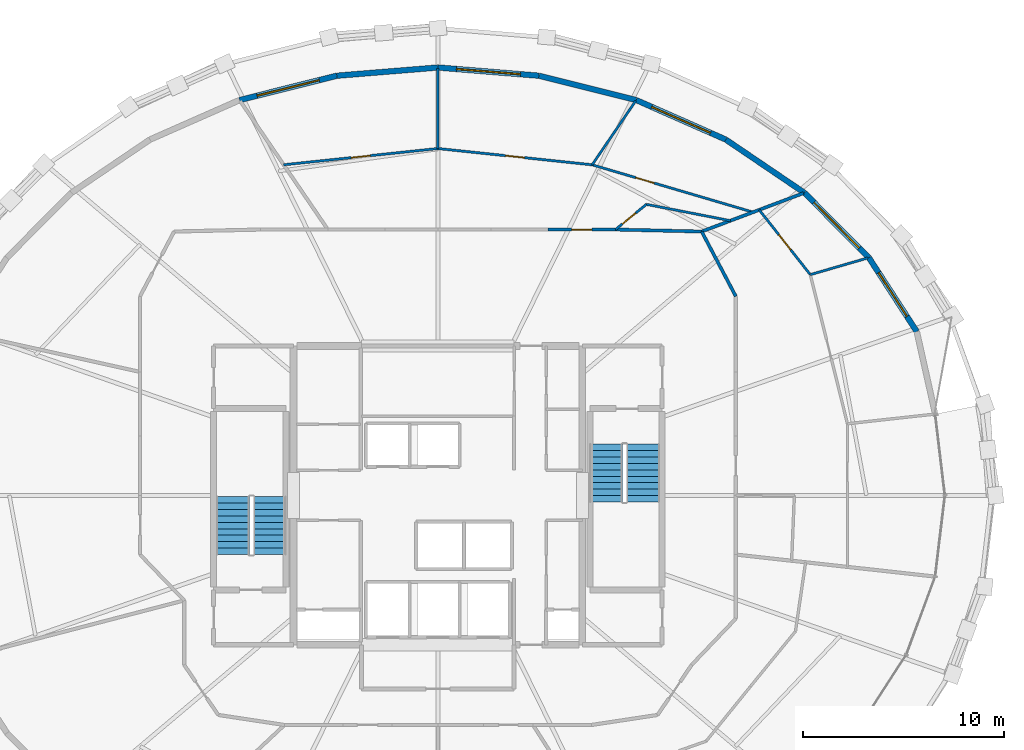
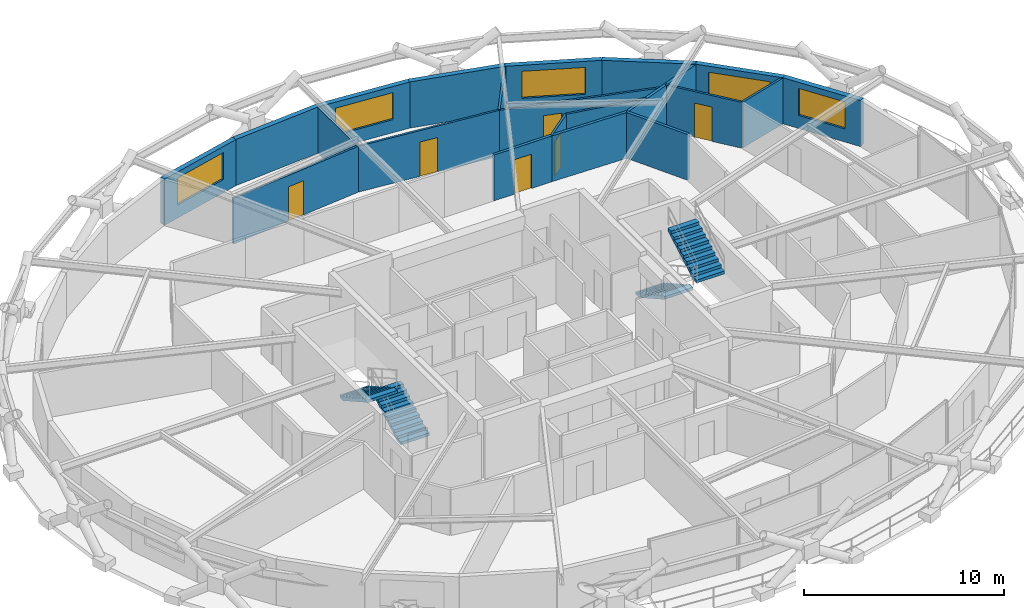
# One storey, part 16 of 17: 21 walls, 6 doors, 5 windows, 4 stair flights, 11 openings, 2 elements without a shape of their own.
"""IFC4 building model written with IfcOpenShell, lengths in metres."""

from ifc_helpers import new_model, si_unit, direction, frame, frame_2d, origin, place, context, subcontext, project, spatial, polyline, rectangle, outline, extrude, material, layer, layer_set, type_object, element, fill, aggregate, save


model = new_model("IFC4")

# Units and contexts
model_context = context("Model", 3, precision=1e-05, world=origin(), true_north=direction((0.0, 1.0)))
body_context = subcontext(model_context, "Body", "Model", "MODEL_VIEW")
ifc_project = project(units=[si_unit("LENGTHUNIT", "METRE"), si_unit("AREAUNIT", "SQUARE_METRE"), si_unit("VOLUMEUNIT", "CUBIC_METRE"), si_unit("PLANEANGLEUNIT", "RADIAN"), si_unit("MASSUNIT", "GRAM", prefix="KILO")], contexts=[model_context])

# Site, building, storey
site_placement = place(None, origin())
site = spatial("IfcSite", under=ifc_project, at=site_placement, CompositionType="ELEMENT")
building_placement = place(site_placement, origin())
building = spatial("IfcBuilding", under=site, at=building_placement, Name="Veldorina Hangang Commons", CompositionType="ELEMENT")
storey_placement = place(building_placement, frame((0.0, 0.0, 178.39990234375)))
storey = spatial("IfcBuildingStorey", under=building, at=storey_placement, Name="L46", CompositionType="ELEMENT", Elevation=178.39990234375)

# Wall, opening, window
ifc_material_1 = material(Name="Stone Roman Travertine", Category="masonry")
ifc_layer_1 = layer(ifc_material_1, 0.280029296875)
ifc_layer_set_1 = layer_set([ifc_layer_1], Name="Stone Roman Travertine")
wall_type_1 = type_object("IfcWallType", Name="EW-TRAV-280", PredefinedType="STANDARD", material=ifc_layer_set_1)
wall_1_placement = place(storey_placement, frame((55.87255859375, 32.161865234375, 0.0), z_axis=(0.0, 0.0, 1.0), x_axis=(-0.543543905956, 0.839380737388, 0.0)))
wall_1 = element("IfcWall", 1, at=wall_1_placement, inside=storey, type_object=wall_type_1, Name="L46 travertine facade wall 02", PredefinedType="STANDARD", context=body_context, shape_type="SweptSolid", body=[
    extrude(rectangle(XDim=4.392822265625, YDim=0.280029296875, at=frame_2d((2.1962890625, 0.0))), origin(), (0.0, 0.0, 1.0), 2.820068359375),
])
opening_1_placement = place(wall_1_placement, frame((0.896484375, 0.0, 0.800048828125)))
opening_1 = element("IfcOpeningElement", 2, at=opening_1_placement, cuts=wall_1, Name="Opening W-02", PredefinedType="OPENING", context=body_context, shape_type="SweptSolid", body=[
    extrude(rectangle(XDim=2.60009765625, YDim=1.64990234375, at=frame_2d((1.300048828125, 0.824951171875))), frame((0.0, 0.14990234375, 0.0), z_axis=(0.0, -1.0, 0.0), x_axis=(1.0, 0.0, 0.0)), (0.0, 0.0, 1.0), 0.300048828125),
])
ifc_material_2 = material(Name="Glass Low-E Triple IGU", Category="glass")
window_type_1 = type_object("IfcWindowType", Name="WIN-TWR-2600", PartitioningType="SINGLE_PANEL", PredefinedType="WINDOW", material=ifc_material_2)
window_1_placement = place(opening_1_placement, origin())
window_1 = element("IfcWindow", 3, at=window_1_placement, inside=storey, type_object=window_type_1, Name="L46 facade window 02", OverallHeight=1.64990234375, OverallWidth=2.60009765625, PartitioningType="SINGLE_PANEL", PredefinedType="WINDOW", context=body_context, shape_type="SweptSolid", body=[
    extrude(rectangle(XDim=2.60009765625, YDim=1.64990234375, at=frame_2d((1.300048828125, 0.824951171875))), frame((0.0, 0.030029296875, 0.0), z_axis=(0.0, -1.0, 0.0), x_axis=(1.0, 0.0, 0.0)), (0.0, 0.0, 1.0), 0.06005859375),
])
fill(opening_1, window_1)

wall_2_placement = place(storey_placement, frame((53.48486328125, 35.84912109375, 0.0), z_axis=(0.0, 0.0, 1.0), x_axis=(-0.705095186085, 0.709112669862, 0.0)))
wall_2 = element("IfcWall", 4, at=wall_2_placement, inside=storey, type_object=wall_type_1, Name="L46 travertine facade wall 03", PredefinedType="STANDARD", context=body_context, shape_type="SweptSolid", body=[
    extrude(rectangle(XDim=4.5576171875, YDim=0.280029296875, at=frame_2d((2.27880859375, 0.0))), origin(), (0.0, 0.0, 1.0), 2.820068359375),
])
opening_2_placement = place(wall_2_placement, frame((0.6787109375, 0.0, 0.800048828125)))
opening_2 = element("IfcOpeningElement", 5, at=opening_2_placement, cuts=wall_2, Name="Opening W-01", PredefinedType="OPENING", context=body_context, shape_type="SweptSolid", body=[
    extrude(rectangle(XDim=3.199951171875, YDim=1.64990234375, at=frame_2d((1.60009765625, 0.824951171875))), frame((0.0, 0.14990234375, 0.0), z_axis=(0.0, -1.0, 0.0), x_axis=(1.0, 0.0, 0.0)), (0.0, 0.0, 1.0), 0.300048828125),
])
window_type_2 = type_object("IfcWindowType", Name="WIN-TWR-3200", PartitioningType="SINGLE_PANEL", PredefinedType="WINDOW", material=ifc_material_2)
window_2_placement = place(opening_2_placement, origin())
window_2 = element("IfcWindow", 6, at=window_2_placement, inside=storey, type_object=window_type_2, Name="L46 facade window 03", OverallHeight=1.64990234375, OverallWidth=3.199951171875, PartitioningType="SINGLE_PANEL", PredefinedType="WINDOW", context=body_context, shape_type="SweptSolid", body=[
    extrude(rectangle(XDim=3.199951171875, YDim=1.64990234375, at=frame_2d((1.60009765625, 0.824951171875))), frame((0.0, 0.030029296875, 0.0), z_axis=(0.0, -1.0, 0.0), x_axis=(1.0, 0.0, 0.0)), (0.0, 0.0, 1.0), 0.06005859375),
])
fill(opening_2, window_2)

# Wall
wall_3_placement = place(storey_placement, frame((50.271240234375, 39.0810546875, 0.0), z_axis=(0.0, 0.0, 1.0), x_axis=(-0.827929515697, 0.560832164767, 0.0)))
element("IfcWall", 7, at=wall_3_placement, inside=storey, type_object=wall_type_1, Name="L46 travertine facade wall 04", PredefinedType="STANDARD", context=body_context, shape_type="SweptSolid", body=[
    extrude(rectangle(XDim=4.729248046875, YDim=0.280029296875, at=frame_2d((2.36474609375, 0.0))), origin(), (0.0, 0.0, 1.0), 2.820068359375),
])

# Wall, opening, window
wall_4_placement = place(storey_placement, frame((46.355712890625, 41.7333984375, 0.0), z_axis=(0.0, 0.0, 1.0), x_axis=(-0.914919430765, 0.40363651372, 0.0)))
wall_4 = element("IfcWall", 8, at=wall_4_placement, inside=storey, type_object=wall_type_1, Name="L46 travertine facade wall 05", PredefinedType="STANDARD", context=body_context, shape_type="SweptSolid", body=[
    extrude(rectangle(XDim=4.883056640625, YDim=0.280029296875, at=frame_2d((2.44140625, 0.0))), origin(), (0.0, 0.0, 1.0), 2.820068359375),
])
opening_3_placement = place(wall_4_placement, frame((0.84130859375, 0.0, 0.800048828125)))
opening_3 = element("IfcOpeningElement", 9, at=opening_3_placement, cuts=wall_4, Name="Opening W-01", PredefinedType="OPENING", context=body_context, shape_type="SweptSolid", body=[
    extrude(rectangle(XDim=3.199951171875, YDim=1.64990234375, at=frame_2d((1.60009765625, 0.824951171875))), frame((0.0, 0.14990234375, 0.0), z_axis=(0.0, -1.0, 0.0), x_axis=(1.0, 0.0, 0.0)), (0.0, 0.0, 1.0), 0.300048828125),
])
window_3_placement = place(opening_3_placement, origin())
window_3 = element("IfcWindow", 10, at=window_3_placement, inside=storey, type_object=window_type_2, Name="L46 facade window 05", OverallHeight=1.64990234375, OverallWidth=3.199951171875, PartitioningType="SINGLE_PANEL", PredefinedType="WINDOW", context=body_context, shape_type="SweptSolid", body=[
    extrude(rectangle(XDim=3.199951171875, YDim=1.64990234375, at=frame_2d((1.60009765625, 0.824951171875))), frame((0.0, 0.030029296875, 0.0), z_axis=(0.0, -1.0, 0.0), x_axis=(1.0, 0.0, 0.0)), (0.0, 0.0, 1.0), 0.06005859375),
])
fill(opening_3, window_3)

# Wall
wall_5_placement = place(storey_placement, frame((41.88818359375, 43.704345703125, 0.0), z_axis=(0.0, 0.0, 1.0), x_axis=(-0.970044703594, 0.242926476593, 0.0)))
element("IfcWall", 11, at=wall_5_placement, inside=storey, type_object=wall_type_1, Name="L46 travertine facade wall 06", PredefinedType="STANDARD", context=body_context, shape_type="SweptSolid", body=[
    extrude(rectangle(XDim=4.996826171875, YDim=0.280029296875, at=frame_2d((2.49853515625, 0.0))), origin(), (0.0, 0.0, 1.0), 2.820068359375),
])

# Wall, opening, window
wall_6_placement = place(storey_placement, frame((37.041015625, 44.918212890625, 0.0), z_axis=(0.0, 0.0, 1.0), x_axis=(-0.99671410823, 0.080999916389, 0.0)))
wall_6 = element("IfcWall", 12, at=wall_6_placement, inside=storey, type_object=wall_type_1, Name="L46 travertine facade wall 07", PredefinedType="STANDARD", context=body_context, shape_type="SweptSolid", body=[
    extrude(rectangle(XDim=5.0576171875, YDim=0.280029296875, at=frame_2d((2.52880859375, 0.0))), origin(), (0.0, 0.0, 1.0), 2.820068359375),
])
opening_4_placement = place(wall_6_placement, frame((0.9287109375, 0.0, 0.800048828125)))
opening_4 = element("IfcOpeningElement", 13, at=opening_4_placement, cuts=wall_6, Name="Opening W-01", PredefinedType="OPENING", context=body_context, shape_type="SweptSolid", body=[
    extrude(rectangle(XDim=3.199951171875, YDim=1.64990234375, at=frame_2d((1.60009765625, 0.824951171875))), frame((0.0, 0.14990234375, 0.0), z_axis=(0.0, -1.0, 0.0), x_axis=(1.0, 0.0, 0.0)), (0.0, 0.0, 1.0), 0.300048828125),
])
window_4_placement = place(opening_4_placement, origin())
window_4 = element("IfcWindow", 14, at=window_4_placement, inside=storey, type_object=window_type_2, Name="L46 facade window 07", OverallHeight=1.64990234375, OverallWidth=3.199951171875, PartitioningType="SINGLE_PANEL", PredefinedType="WINDOW", context=body_context, shape_type="SweptSolid", body=[
    extrude(rectangle(XDim=3.199951171875, YDim=1.64990234375, at=frame_2d((1.60009765625, 0.824951171875))), frame((0.0, 0.030029296875, 0.0), z_axis=(0.0, -1.0, 0.0), x_axis=(1.0, 0.0, 0.0)), (0.0, 0.0, 1.0), 0.06005859375),
])
fill(opening_4, window_4)

# Wall
wall_7_placement = place(storey_placement, frame((32.0, 45.327880859375, 0.0), z_axis=(0.0, 0.0, 1.0), x_axis=(-0.99671410823, -0.080999916389, 0.0)))
element("IfcWall", 15, at=wall_7_placement, inside=storey, type_object=wall_type_1, Name="L46 travertine facade wall 08", PredefinedType="STANDARD", context=body_context, shape_type="SweptSolid", body=[
    extrude(rectangle(XDim=5.0576171875, YDim=0.280029296875, at=frame_2d((2.52880859375, 0.0))), origin(), (0.0, 0.0, 1.0), 2.820068359375),
])

# Wall, opening, window
wall_8_placement = place(storey_placement, frame((26.958984375, 44.918212890625, 0.0), z_axis=(0.0, 0.0, 1.0), x_axis=(-0.970044703594, -0.242926476593, 0.0)))
wall_8 = element("IfcWall", 16, at=wall_8_placement, inside=storey, type_object=wall_type_1, Name="L46 travertine facade wall 09", PredefinedType="STANDARD", context=body_context, shape_type="SweptSolid", body=[
    extrude(rectangle(XDim=4.996826171875, YDim=0.280029296875, at=frame_2d((2.49853515625, 0.0))), origin(), (0.0, 0.0, 1.0), 2.820068359375),
])
opening_5_placement = place(wall_8_placement, frame((0.8984375, 0.0, 0.800048828125)))
opening_5 = element("IfcOpeningElement", 17, at=opening_5_placement, cuts=wall_8, Name="Opening W-01", PredefinedType="OPENING", context=body_context, shape_type="SweptSolid", body=[
    extrude(rectangle(XDim=3.199951171875, YDim=1.64990234375, at=frame_2d((1.60009765625, 0.824951171875))), frame((0.0, 0.14990234375, 0.0), z_axis=(0.0, -1.0, 0.0), x_axis=(1.0, 0.0, 0.0)), (0.0, 0.0, 1.0), 0.300048828125),
])
window_5_placement = place(opening_5_placement, origin())
window_5 = element("IfcWindow", 18, at=window_5_placement, inside=storey, type_object=window_type_2, Name="L46 facade window 09", OverallHeight=1.64990234375, OverallWidth=3.199951171875, PartitioningType="SINGLE_PANEL", PredefinedType="WINDOW", context=body_context, shape_type="SweptSolid", body=[
    extrude(rectangle(XDim=3.199951171875, YDim=1.64990234375, at=frame_2d((1.60009765625, 0.824951171875))), frame((0.0, 0.030029296875, 0.0), z_axis=(0.0, -1.0, 0.0), x_axis=(1.0, 0.0, 0.0)), (0.0, 0.0, 1.0), 0.06005859375),
])
fill(opening_5, window_5)

# Walls
ifc_material_3 = material(Name="Gypsum Fire-Rated Twin Stud Wall", Category="gypsum")
ifc_layer_2 = layer(ifc_material_3, 0.159912109375)
ifc_layer_set_2 = layer_set([ifc_layer_2], Name="Gypsum Fire-Rated Twin Stud Wall")
wall_type_2 = type_object("IfcWallType", Name="WL-FIRE-160", PredefinedType="SOLIDWALL", material=ifc_layer_set_2)
wall_9_placement = place(storey_placement, frame((46.85009765625, 33.922607421875, 0.0), z_axis=(0.0, 0.0, 1.0), x_axis=(-0.466093963429, 0.884735224378, 0.0)))
element("IfcWall", 19, at=wall_9_placement, inside=storey, type_object=wall_type_2, Name="L46 U-corridor outer wall 03 049", PredefinedType="SOLIDWALL", context=body_context, shape_type="SweptSolid", body=[
    extrude(rectangle(XDim=3.647705078125, YDim=0.159912109375, at=frame_2d((1.82373046875, 0.0))), origin(), (0.0, 0.0, 1.0), 2.800048828125),
])
wall_10_placement = place(storey_placement, frame((45.14990234375, 37.14990234375, 0.0), z_axis=(0.0, 0.0, 1.0), x_axis=(-0.999728709658, 0.023291781507, 0.0)))
element("IfcWall", 20, at=wall_10_placement, inside=storey, type_object=wall_type_2, Name="L46 U-corridor outer wall 04 050", PredefinedType="SOLIDWALL", context=body_context, shape_type="SweptSolid", body=[
    extrude(rectangle(XDim=4.297607421875, YDim=0.159912109375, at=frame_2d((2.14892578125, 0.0))), origin(), (0.0, 0.0, 1.0), 2.800048828125),
])

# Wall, opening, door
wall_11_placement = place(storey_placement, frame((40.853515625, 37.25, 0.0), z_axis=(0.0, 0.0, 1.0), x_axis=(-1.0, 0.0, 0.0)))
wall_11 = element("IfcWall", 21, at=wall_11_placement, inside=storey, type_object=wall_type_2, Name="L46 U-corridor outer wall 05 051", PredefinedType="SOLIDWALL", context=body_context, shape_type="SweptSolid", body=[
    extrude(rectangle(XDim=3.365234375, YDim=0.159912109375, at=frame_2d((1.6826171875, 0.0))), origin(), (0.0, 0.0, 1.0), 2.800048828125),
])
opening_6_placement = place(wall_11_placement, frame((1.1826171875, 0.0, 0.0)))
opening_6 = element("IfcOpeningElement", 22, at=opening_6_placement, cuts=wall_11, Name="Opening D-06", PredefinedType="OPENING", context=body_context, shape_type="SweptSolid", body=[
    extrude(rectangle(XDim=1.0, YDim=2.10009765625, at=frame_2d((0.5, 1.050048828125))), frame((0.0, 0.08984375, 0.0), z_axis=(0.0, -1.0, 0.0), x_axis=(1.0, 0.0, 0.0)), (0.0, 0.0, 1.0), 0.179931640625),
])
ifc_material_4 = material(Name="Timber Fire-Rated Entrance Core", Category="wood")
door_type_1 = type_object("IfcDoorType", Name="DR-UNIT-1000", OperationType="SINGLE_SWING_LEFT", PredefinedType="DOOR", material=ifc_material_4)
door_1_placement = place(opening_6_placement, origin())
door_1 = element("IfcDoor", 23, at=door_1_placement, inside=storey, type_object=door_type_1, Name="L46 Cluster 3 entrance door 028", OperationType="SINGLE_SWING_RIGHT", OverallHeight=2.10009765625, OverallWidth=1.0, PredefinedType="DOOR", context=body_context, shape_type="SweptSolid", body=[
    extrude(rectangle(XDim=1.0, YDim=2.10009765625, at=frame_2d((0.5, 1.050048828125))), frame((0.0, 0.02490234375, 0.0), z_axis=(0.0, -1.0, 0.0), x_axis=(1.0, 0.0, 0.0)), (0.0, 0.0, 1.0), 0.050048828125),
])
fill(opening_6, door_1)

# Wall
wall_12_placement = place(storey_placement, frame((45.14990234375, 37.14990234375, 0.0), z_axis=(0.0, 0.0, 1.0), x_axis=(0.935687541553, 0.3528297388, 0.0)))
element("IfcWall", 24, at=wall_12_placement, inside=storey, type_object=wall_type_2, Name="L46 Unit party wall 04 092", PredefinedType="SOLIDWALL", context=body_context, shape_type="SweptSolid", body=[
    extrude(rectangle(XDim=5.423583984375, YDim=0.159912109375, at=frame_2d((2.7119140625, 0.0))), origin(), (0.0, 0.0, 1.0), 2.800048828125),
])

# Wall, opening, door
ifc_material_5 = material(Name="Gypsum Acoustic Stud Partition", Category="gypsum")
ifc_layer_3 = layer(ifc_material_5, 0.1201171875)
ifc_layer_set_3 = layer_set([ifc_layer_3], Name="Gypsum Acoustic Stud Partition")
wall_type_3 = type_object("IfcWallType", Name="WL-PART-120", PredefinedType="PARTITIONING", material=ifc_layer_set_3)
wall_13_placement = place(storey_placement, frame((50.5654296875, 35.00146484375, 0.0), z_axis=(0.0, 0.0, 1.0), x_axis=(-0.619288242801, 0.785163723263, 0.0)))
wall_13 = element("IfcWall", 25, at=wall_13_placement, inside=storey, type_object=wall_type_3, Name="L46 Cluster 2 bed 3 front wall 090", PredefinedType="PARTITIONING", context=body_context, shape_type="SweptSolid", body=[
    extrude(rectangle(XDim=4.11376953125, YDim=0.1201171875, at=frame_2d((2.056884765625, 0.0))), origin(), (0.0, 0.0, 1.0), 2.800048828125),
])
opening_7_placement = place(wall_13_placement, frame((1.581787109375, 0.0, 0.0)))
opening_7 = element("IfcOpeningElement", 26, at=opening_7_placement, cuts=wall_13, Name="Opening D-02", PredefinedType="OPENING", context=body_context, shape_type="SweptSolid", body=[
    extrude(rectangle(XDim=0.949951171875, YDim=2.10009765625, at=frame_2d((0.47509765625, 1.050048828125))), frame((0.0, 0.070068359375, 0.0), z_axis=(0.0, -1.0, 0.0), x_axis=(1.0, 0.0, 0.0)), (0.0, 0.0, 1.0), 0.14013671875),
])
ifc_material_6 = material(Name="Timber Solid Core Acoustic", Category="wood")
door_type_2 = type_object("IfcDoorType", Name="DR-INT-950", OperationType="SINGLE_SWING_LEFT", PredefinedType="DOOR", material=ifc_material_6)
door_2_placement = place(opening_7_placement, origin())
door_2 = element("IfcDoor", 27, at=door_2_placement, inside=storey, type_object=door_type_2, Name="L46 Cluster 2 bed 3 door 026", OperationType="SINGLE_SWING_RIGHT", OverallHeight=2.10009765625, OverallWidth=0.949951171875, PredefinedType="DOOR", context=body_context, shape_type="SweptSolid", body=[
    extrude(rectangle(XDim=0.949951171875, YDim=2.10009765625, at=frame_2d((0.47509765625, 1.050048828125))), frame((0.0, 0.02490234375, 0.0), z_axis=(0.0, -1.0, 0.0), x_axis=(1.0, 0.0, 0.0)), (0.0, 0.0, 1.0), 0.050048828125),
])
fill(opening_7, door_2)

# Walls
wall_14_placement = place(storey_placement, frame((50.5654296875, 35.00146484375, 0.0), z_axis=(0.0, 0.0, 1.0), x_axis=(0.960334941703, 0.278849062657, 0.0)))
element("IfcWall", 28, at=wall_14_placement, inside=storey, type_object=wall_type_3, Name="L46 Cluster 2 bed divider 2 091", PredefinedType="PARTITIONING", context=body_context, shape_type="SweptSolid", body=[
    extrude(rectangle(XDim=2.989990234375, YDim=0.1201171875, at=frame_2d((1.4951171875, 0.0))), origin(), (0.0, 0.0, 1.0), 2.800048828125),
])
wall_15_placement = place(storey_placement, frame((46.583984375, 37.690673828125, 0.0), z_axis=(0.0, 0.0, 1.0), x_axis=(-0.981615985024, 0.190866597251, 0.0)))
element("IfcWall", 29, at=wall_15_placement, inside=storey, type_object=wall_type_3, Name="L46 Cluster 3 bath front wall 093", PredefinedType="PARTITIONING", context=body_context, shape_type="SweptSolid", body=[
    extrude(rectangle(XDim=4.268310546875, YDim=0.1201171875, at=frame_2d((2.13427734375, 0.0))), origin(), (0.0, 0.0, 1.0), 2.800048828125),
])

# Wall, opening, door
wall_16_placement = place(storey_placement, frame((40.853515625, 37.25, 0.0), z_axis=(0.0, 0.0, 1.0), x_axis=(0.775203790186, 0.631711234411, 0.0)))
wall_16 = element("IfcWall", 30, at=wall_16_placement, inside=storey, type_object=wall_type_3, Name="L46 Cluster 3 bath side wall 094", PredefinedType="PARTITIONING", context=body_context, shape_type="SweptSolid", body=[
    extrude(rectangle(XDim=1.9873046875, YDim=0.1201171875, at=frame_2d((0.99365234375, 0.0))), origin(), (0.0, 0.0, 1.0), 2.800048828125),
])
opening_8_placement = place(wall_16_placement, frame((0.43994140625, 0.0, 0.0)))
opening_8 = element("IfcOpeningElement", 31, at=opening_8_placement, cuts=wall_16, Name="Opening D-01", PredefinedType="OPENING", context=body_context, shape_type="SweptSolid", body=[
    extrude(rectangle(XDim=0.860107421875, YDim=2.10009765625, at=frame_2d((0.43017578125, 1.050048828125))), frame((0.0, 0.070068359375, 0.0), z_axis=(0.0, -1.0, 0.0), x_axis=(1.0, 0.0, 0.0)), (0.0, 0.0, 1.0), 0.14013671875),
])
ifc_material_7 = material(Name="Timber Moisture-Resistant Core", Category="wood")
door_type_3 = type_object("IfcDoorType", Name="DR-WET-860", OperationType="SINGLE_SWING_LEFT", PredefinedType="DOOR", material=ifc_material_7)
door_3_placement = place(opening_8_placement, origin())
door_3 = element("IfcDoor", 32, at=door_3_placement, inside=storey, type_object=door_type_3, Name="L46 Cluster 3 shared bathroom door 027", OperationType="SINGLE_SWING_LEFT", OverallHeight=2.10009765625, OverallWidth=0.860107421875, PredefinedType="DOOR", context=body_context, shape_type="SweptSolid", body=[
    extrude(rectangle(XDim=0.860107421875, YDim=2.10009765625, at=frame_2d((0.43017578125, 1.050048828125))), frame((0.0, 0.02490234375, 0.0), z_axis=(0.0, -1.0, 0.0), x_axis=(1.0, 0.0, 0.0)), (0.0, 0.0, 1.0), 0.050048828125),
])
fill(opening_8, door_3)

wall_17_placement = place(storey_placement, frame((47.710693359375, 38.115478515625, 0.0), z_axis=(0.0, 0.0, 1.0), x_axis=(-0.959292020944, 0.282416038059, 0.0)))
wall_17 = element("IfcWall", 33, at=wall_17_placement, inside=storey, type_object=wall_type_3, Name="L46 Cluster 3 bed 1 front wall 095", PredefinedType="PARTITIONING", context=body_context, shape_type="SweptSolid", body=[
    extrude(rectangle(XDim=8.36279296875, YDim=0.1201171875, at=frame_2d((4.181396484375, 0.0))), origin(), (0.0, 0.0, 1.0), 2.800048828125),
])
opening_9_placement = place(wall_17_placement, frame((5.1435546875, 0.0, 0.0)))
opening_9 = element("IfcOpeningElement", 34, at=opening_9_placement, cuts=wall_17, Name="Opening D-02", PredefinedType="OPENING", context=body_context, shape_type="SweptSolid", body=[
    extrude(rectangle(XDim=0.949951171875, YDim=2.10009765625, at=frame_2d((0.47509765625, 1.050048828125))), frame((0.0, 0.070068359375, 0.0), z_axis=(0.0, -1.0, 0.0), x_axis=(1.0, 0.0, 0.0)), (0.0, 0.0, 1.0), 0.14013671875),
])
door_4_placement = place(opening_9_placement, origin())
door_4 = element("IfcDoor", 35, at=door_4_placement, inside=storey, type_object=door_type_2, Name="L46 Cluster 3 bed 1 door 029", OperationType="SINGLE_SWING_LEFT", OverallHeight=2.10009765625, OverallWidth=0.949951171875, PredefinedType="DOOR", context=body_context, shape_type="SweptSolid", body=[
    extrude(rectangle(XDim=0.949951171875, YDim=2.10009765625, at=frame_2d((0.47509765625, 1.050048828125))), frame((0.0, 0.02490234375, 0.0), z_axis=(0.0, -1.0, 0.0), x_axis=(1.0, 0.0, 0.0)), (0.0, 0.0, 1.0), 0.050048828125),
])
fill(opening_9, door_4)

wall_18_placement = place(storey_placement, frame((39.688232421875, 40.477294921875, 0.0), z_axis=(0.0, 0.0, 1.0), x_axis=(-0.994475302954, 0.104970814106, 0.0)))
wall_18 = element("IfcWall", 36, at=wall_18_placement, inside=storey, type_object=wall_type_3, Name="L46 Cluster 3 bed 2 front wall 096", PredefinedType="PARTITIONING", context=body_context, shape_type="SweptSolid", body=[
    extrude(rectangle(XDim=7.73095703125, YDim=0.1201171875, at=frame_2d((3.865478515625, 0.0))), origin(), (0.0, 0.0, 1.0), 2.800048828125),
])
opening_10_placement = place(wall_18_placement, frame((3.390380859375, 0.0, 0.0)))
opening_10 = element("IfcOpeningElement", 37, at=opening_10_placement, cuts=wall_18, Name="Opening D-02", PredefinedType="OPENING", context=body_context, shape_type="SweptSolid", body=[
    extrude(rectangle(XDim=0.949951171875, YDim=2.10009765625, at=frame_2d((0.47509765625, 1.050048828125))), frame((0.0, 0.070068359375, 0.0), z_axis=(0.0, -1.0, 0.0), x_axis=(1.0, 0.0, 0.0)), (0.0, 0.0, 1.0), 0.14013671875),
])
door_5_placement = place(opening_10_placement, origin())
door_5 = element("IfcDoor", 38, at=door_5_placement, inside=storey, type_object=door_type_2, Name="L46 Cluster 3 bed 2 door 030", OperationType="SINGLE_SWING_RIGHT", OverallHeight=2.10009765625, OverallWidth=0.949951171875, PredefinedType="DOOR", context=body_context, shape_type="SweptSolid", body=[
    extrude(rectangle(XDim=0.949951171875, YDim=2.10009765625, at=frame_2d((0.47509765625, 1.050048828125))), frame((0.0, 0.02490234375, 0.0), z_axis=(0.0, -1.0, 0.0), x_axis=(1.0, 0.0, 0.0)), (0.0, 0.0, 1.0), 0.050048828125),
])
fill(opening_10, door_5)

# Wall
wall_19_placement = place(storey_placement, frame((39.688232421875, 40.477294921875, 0.0), z_axis=(0.0, 0.0, 1.0), x_axis=(0.56329163375, 0.826258152968, 0.0)))
element("IfcWall", 39, at=wall_19_placement, inside=storey, type_object=wall_type_3, Name="L46 Cluster 3 bed divider 1 097", PredefinedType="PARTITIONING", context=body_context, shape_type="SweptSolid", body=[
    extrude(rectangle(XDim=3.855712890625, YDim=0.1201171875, at=frame_2d((1.927734375, 0.0))), origin(), (0.0, 0.0, 1.0), 2.800048828125),
])

# Wall, opening, door
wall_20_placement = place(storey_placement, frame((32.0, 41.288818359375, 0.0), z_axis=(0.0, 0.0, 1.0), x_axis=(-0.994475302954, -0.104970814106, 0.0)))
wall_20 = element("IfcWall", 40, at=wall_20_placement, inside=storey, type_object=wall_type_3, Name="L46 Cluster 3 bed 3 front wall 098", PredefinedType="PARTITIONING", context=body_context, shape_type="SweptSolid", body=[
    extrude(rectangle(XDim=7.73095703125, YDim=0.1201171875, at=frame_2d((3.865478515625, 0.0))), origin(), (0.0, 0.0, 1.0), 2.800048828125),
])
opening_11_placement = place(wall_20_placement, frame((3.390380859375, 0.0, 0.0)))
opening_11 = element("IfcOpeningElement", 41, at=opening_11_placement, cuts=wall_20, Name="Opening D-02", PredefinedType="OPENING", context=body_context, shape_type="SweptSolid", body=[
    extrude(rectangle(XDim=0.949951171875, YDim=2.10009765625, at=frame_2d((0.47509765625, 1.050048828125))), frame((0.0, 0.070068359375, 0.0), z_axis=(0.0, -1.0, 0.0), x_axis=(1.0, 0.0, 0.0)), (0.0, 0.0, 1.0), 0.14013671875),
])
door_6_placement = place(opening_11_placement, origin())
door_6 = element("IfcDoor", 42, at=door_6_placement, inside=storey, type_object=door_type_2, Name="L46 Cluster 3 bed 3 door 031", OperationType="SINGLE_SWING_LEFT", OverallHeight=2.10009765625, OverallWidth=0.949951171875, PredefinedType="DOOR", context=body_context, shape_type="SweptSolid", body=[
    extrude(rectangle(XDim=0.949951171875, YDim=2.10009765625, at=frame_2d((0.47509765625, 1.050048828125))), frame((0.0, 0.02490234375, 0.0), z_axis=(0.0, -1.0, 0.0), x_axis=(1.0, 0.0, 0.0)), (0.0, 0.0, 1.0), 0.050048828125),
])
fill(opening_11, door_6)

# Wall
wall_21_placement = place(storey_placement, frame((32.0, 41.288818359375, 0.0), z_axis=(0.0, 0.0, 1.0), x_axis=(0.0, 1.0, 0.0)))
element("IfcWall", 43, at=wall_21_placement, inside=storey, type_object=wall_type_3, Name="L46 Cluster 3 bed divider 2 099", PredefinedType="PARTITIONING", context=body_context, shape_type="SweptSolid", body=[
    extrude(rectangle(XDim=3.989013671875, YDim=0.1201171875, at=frame_2d((1.99462890625, 0.0))), origin(), (0.0, 0.0, 1.0), 2.800048828125),
])

# Stair, stair flights
ifc_material_8 = material(Name="Concrete C40/50", Category="concrete")
stair_type = type_object("IfcStairType", Name="STR-DOG-1650-20R", PredefinedType="HALF_TURN_STAIR", material=ifc_material_8)
stair_1_placement = place(storey_placement, origin())
stair_1 = element("IfcStair", 44, at=stair_1_placement, inside=storey, type_object=stair_type, Name="L46 Exit stair ST-1", PredefinedType="HALF_TURN_STAIR")
stair_flight_type = type_object("IfcStairFlightType", Name="SFL-STR-1650-20R", PredefinedType="STRAIGHT", material=ifc_material_8)
stair_flight_1_placement = place(storey_placement, frame((23.625, 21.050048828125, 0.0), z_axis=(0.0, 0.0, 1.0), x_axis=(0.0, 1.0, 0.0)))
stair_flight_1 = element("IfcStairFlight", 45, at=stair_flight_1_placement, type_object=stair_flight_type, Name="ST-1 flight 1", NumberOfRisers=10, NumberOfTreads=9, PredefinedType="STRAIGHT", RiserHeight=0.18, TreadLength=0.32, context=body_context, shape_type="SweptSolid", body=[
    extrude(outline(polyline([(0.0, 0.0), (0.0, 0.179931640625), (0.320068359375, 0.179931640625), (0.320068359375, 0.360107421875), (0.639892578125, 0.360107421875), (0.639892578125, 0.5400390625), (0.9599609375, 0.5400390625), (0.9599609375, 0.719970703125), (1.280029296875, 0.719970703125), (1.280029296875, 0.89990234375), (1.60009765625, 0.89990234375), (1.60009765625, 1.080078125), (1.919921875, 1.080078125), (1.919921875, 1.260009765625), (2.239990234375, 1.260009765625), (2.239990234375, 1.43994140625), (2.56005859375, 1.43994140625), (2.56005859375, 1.6201171875), (2.8798828125, 1.6201171875), (2.8798828125, 1.800048828125), (2.8798828125, 1.447998046875), (0.3056640625, 0.0), (0.0, 0.0)])), frame((0.0, 0.824951171875, 0.0), z_axis=(0.0, -1.0, 0.0), x_axis=(1.0, 0.0, 0.0)), (0.0, 0.0, 1.0), 1.64990234375),
])
stair_flight_2_placement = place(storey_placement, frame((21.77490234375, 23.929931640625, 1.800048828125), z_axis=(0.0, 0.0, 1.0), x_axis=(0.0, -1.0, 0.0)))
stair_flight_2 = element("IfcStairFlight", 46, at=stair_flight_2_placement, type_object=stair_flight_type, Name="ST-1 flight 2", NumberOfRisers=10, NumberOfTreads=9, PredefinedType="STRAIGHT", RiserHeight=0.18, TreadLength=0.32, context=body_context, shape_type="SweptSolid", body=[
    extrude(outline(polyline([(0.0, 0.0), (0.0, 0.179931640625), (0.320068359375, 0.179931640625), (0.320068359375, 0.360107421875), (0.639892578125, 0.360107421875), (0.639892578125, 0.5400390625), (0.9599609375, 0.5400390625), (0.9599609375, 0.719970703125), (1.280029296875, 0.719970703125), (1.280029296875, 0.89990234375), (1.60009765625, 0.89990234375), (1.60009765625, 1.080078125), (1.919921875, 1.080078125), (1.919921875, 1.260009765625), (2.239990234375, 1.260009765625), (2.239990234375, 1.43994140625), (2.56005859375, 1.43994140625), (2.56005859375, 1.6201171875), (2.8798828125, 1.6201171875), (2.8798828125, 1.800048828125), (2.8798828125, 1.447998046875), (0.3056640625, 0.0), (0.0, 0.0)])), frame((0.0, 0.824951171875, 0.0), z_axis=(0.0, -1.0, 0.0), x_axis=(1.0, 0.0, 0.0)), (0.0, 0.0, 1.0), 1.64990234375),
])
aggregate(stair_1, [stair_flight_1, stair_flight_2])

stair_2_placement = place(storey_placement, origin())
stair_2 = element("IfcStair", 47, at=stair_2_placement, inside=storey, type_object=stair_type, Name="L46 Exit stair ST-2", PredefinedType="HALF_TURN_STAIR")
stair_flight_3_placement = place(storey_placement, frame((40.375, 26.550048828125, 0.0), z_axis=(0.0, 0.0, 1.0), x_axis=(0.0, -1.0, 0.0)))
stair_flight_3 = element("IfcStairFlight", 48, at=stair_flight_3_placement, type_object=stair_flight_type, Name="ST-2 flight 1", NumberOfRisers=10, NumberOfTreads=9, PredefinedType="STRAIGHT", RiserHeight=0.18, TreadLength=0.32, context=body_context, shape_type="SweptSolid", body=[
    extrude(outline(polyline([(0.0, 0.0), (0.0, 0.179931640625), (0.320068359375, 0.179931640625), (0.320068359375, 0.360107421875), (0.639892578125, 0.360107421875), (0.639892578125, 0.5400390625), (0.9599609375, 0.5400390625), (0.9599609375, 0.719970703125), (1.280029296875, 0.719970703125), (1.280029296875, 0.89990234375), (1.60009765625, 0.89990234375), (1.60009765625, 1.080078125), (1.919921875, 1.080078125), (1.919921875, 1.260009765625), (2.239990234375, 1.260009765625), (2.239990234375, 1.43994140625), (2.56005859375, 1.43994140625), (2.56005859375, 1.6201171875), (2.8798828125, 1.6201171875), (2.8798828125, 1.800048828125), (2.8798828125, 1.447998046875), (0.3056640625, 0.0), (0.0, 0.0)])), frame((0.0, 0.824951171875, 0.0), z_axis=(0.0, -1.0, 0.0), x_axis=(1.0, 0.0, 0.0)), (0.0, 0.0, 1.0), 1.64990234375),
])
stair_flight_4_placement = place(storey_placement, frame((42.22509765625, 23.669921875, 1.800048828125), z_axis=(0.0, 0.0, 1.0), x_axis=(0.0, 1.0, 0.0)))
stair_flight_4 = element("IfcStairFlight", 49, at=stair_flight_4_placement, type_object=stair_flight_type, Name="ST-2 flight 2", NumberOfRisers=10, NumberOfTreads=9, PredefinedType="STRAIGHT", RiserHeight=0.18, TreadLength=0.32, context=body_context, shape_type="SweptSolid", body=[
    extrude(outline(polyline([(0.0, 0.0), (0.0, 0.179931640625), (0.320068359375, 0.179931640625), (0.320068359375, 0.360107421875), (0.639892578125, 0.360107421875), (0.639892578125, 0.5400390625), (0.9599609375, 0.5400390625), (0.9599609375, 0.719970703125), (1.280029296875, 0.719970703125), (1.280029296875, 0.89990234375), (1.60009765625, 0.89990234375), (1.60009765625, 1.080078125), (1.919921875, 1.080078125), (1.919921875, 1.260009765625), (2.239990234375, 1.260009765625), (2.239990234375, 1.43994140625), (2.56005859375, 1.43994140625), (2.56005859375, 1.6201171875), (2.8798828125, 1.6201171875), (2.8798828125, 1.800048828125), (2.8798828125, 1.447998046875), (0.3056640625, 0.0), (0.0, 0.0)])), frame((0.0, 0.824951171875, 0.0), z_axis=(0.0, -1.0, 0.0), x_axis=(1.0, 0.0, 0.0)), (0.0, 0.0, 1.0), 1.64990234375),
])
aggregate(stair_2, [stair_flight_3, stair_flight_4])

save(model, "model.ifc")
